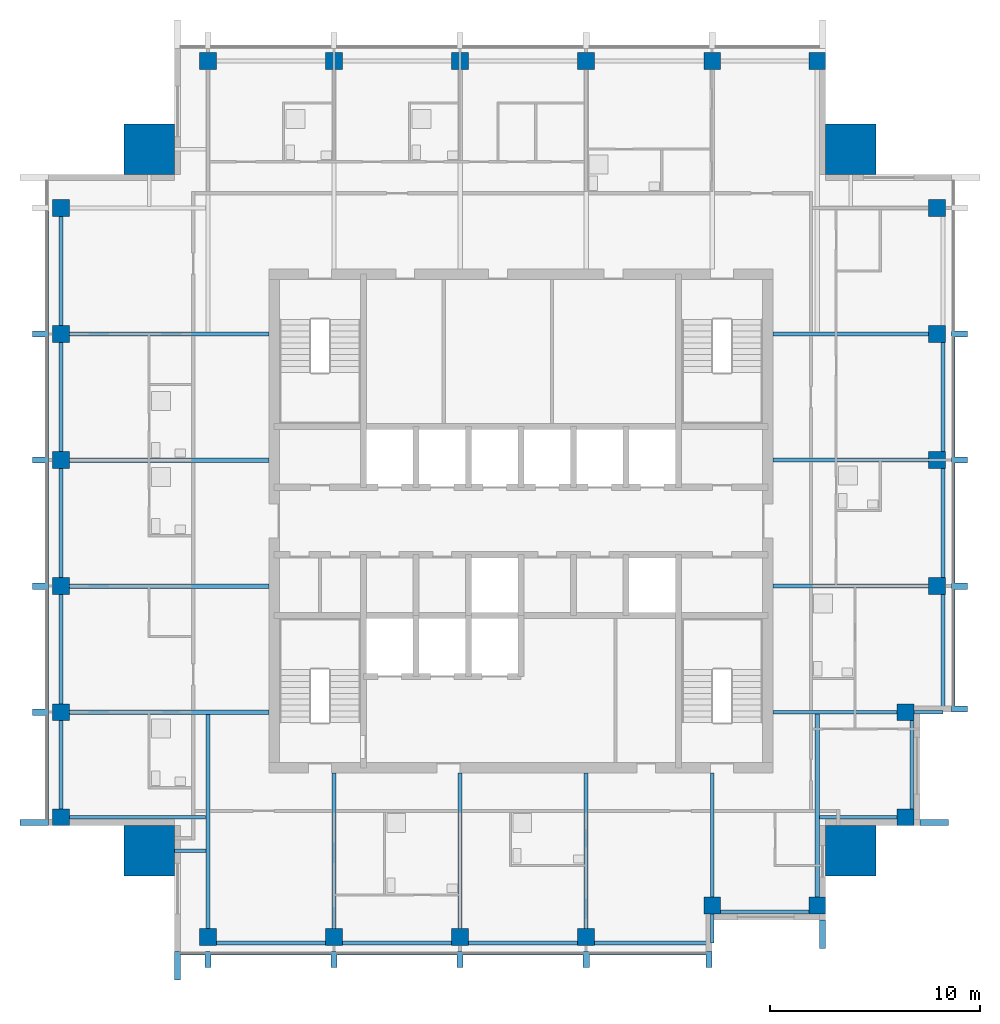
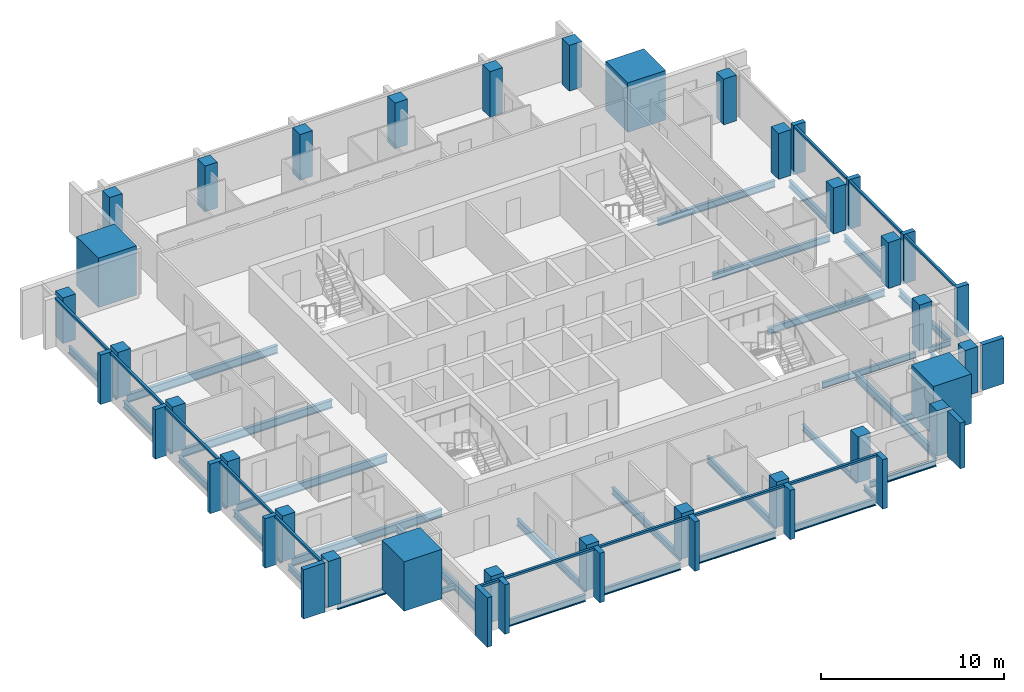
# One storey, part 1 of 9: 33 beams, 30 members, 28 columns, 3 elements without a shape of their own.
"""IFC4 building model written with IfcOpenShell, lengths in metres."""

from ifc_helpers import new_model, si_unit, direction, frame, origin, origin_2d, place, context, subcontext, project, spatial, rectangle, i_section, extrude, material, material_profile, profile_set, type_object, element, aggregate, save


model = new_model("IFC4")

# Units and contexts
model_context = context("Model", 3, precision=1e-05, world=origin(), true_north=direction((0.0, 1.0)))
body_context = subcontext(model_context, "Body", "Model", "MODEL_VIEW")
ifc_project = project(units=[si_unit("LENGTHUNIT", "METRE"), si_unit("AREAUNIT", "SQUARE_METRE"), si_unit("VOLUMEUNIT", "CUBIC_METRE"), si_unit("PLANEANGLEUNIT", "RADIAN"), si_unit("MASSUNIT", "GRAM", prefix="KILO")], contexts=[model_context])

# Site, building, storey
site_placement = place(None, origin())
site = spatial("IfcSite", under=ifc_project, at=site_placement, CompositionType="ELEMENT")
building_placement = place(site_placement, origin())
building = spatial("IfcBuilding", under=site, at=building_placement, Name="Amberfall Residences", CompositionType="ELEMENT")
storey_placement = place(building_placement, frame((0.0, 0.0, 252.10009765625)))
storey = spatial("IfcBuildingStorey", under=building, at=storey_placement, Name="L67", CompositionType="ELEMENT", Elevation=252.10009765625)

# Columns
ifc_material_1 = material(Name="Concrete C50", Category="concrete")
ifc_material_profile_1 = material_profile(ifc_material_1, rectangle(XDim=0.800048828125, YDim=0.800048828125, at=origin_2d()), Name="Column 800 x 800 C50")
ifc_profile_set_1 = profile_set([ifc_material_profile_1], Name="Concrete C50")
column_type_1 = type_object("IfcColumnType", Name="Column 800 x 800 C50", PredefinedType="COLUMN", material=ifc_profile_set_1)
for number, where, z_axis, x_axis, name in (
    (1, (59.60009765625, 25.699951171875, 0.0), (0.0, 0.0, 1.0), (1.0, 0.0, 0.0), "Column C5 L67 S1"),
    (2, (65.60009765625, 25.699951171875, 0.0), (0.0, 0.0, 1.0), (1.0, 0.0, 0.0), "Column C5 L67 S2"),
    (3, (71.60009765625, 25.699951171875, 0.0), (0.0, 0.0, 1.0), (1.0, 0.0, 0.0), "Column C5 L67 S3"),
    (4, (77.60009765625, 25.699951171875, 0.0), (0.0, 0.0, 1.0), (1.0, 0.0, 0.0), "Column C5 L67 S4"),
    (5, (83.60009765625, 27.199951171875, 0.0), (0.0, 0.0, 1.0), (1.0, 0.0, 0.0), "Column C5 L67 S5"),
    (6, (88.60009765625, 27.199951171875, 0.0), (0.0, 0.0, 1.0), (1.0, 0.0, 0.0), "Column C5 L67 S6"),
    (7, (92.800048828125, 31.39990234375, 0.0), (0.0, 0.0, 1.0), (1.0, 0.0, 0.0), "Column C5 L67 E1"),
    (8, (92.800048828125, 36.39990234375, 0.0), (0.0, 0.0, 1.0), (1.0, 0.0, 0.0), "Column C5 L67 E2"),
    (9, (94.300048828125, 42.39990234375, 0.0), (0.0, 0.0, 1.0), (1.0, 0.0, 0.0), "Column C5 L67 E3"),
    (10, (94.300048828125, 48.39990234375, 0.0), (0.0, 0.0, 1.0), (1.0, 0.0, 0.0), "Column C5 L67 E4"),
    (11, (94.300048828125, 54.39990234375, 0.0), (0.0, 0.0, 1.0), (1.0, 0.0, 0.0), "Column C5 L67 E5"),
    (12, (94.300048828125, 60.39990234375, 0.0), (0.0, 0.0, 1.0), (1.0, 0.0, 0.0), "Column C5 L67 E6"),
    (13, (59.60009765625, 67.39990234375, 0.0), (0.0, 0.0, 1.0), (1.0, 0.0, 0.0), "Column C5 L67 N1"),
    (14, (65.60009765625, 67.39990234375, 0.0), (0.0, 0.0, 1.0), (1.0, 0.0, 0.0), "Column C5 L67 N2"),
    (15, (71.60009765625, 67.39990234375, 0.0), (0.0, 0.0, 1.0), (1.0, 0.0, 0.0), "Column C5 L67 N3"),
    (16, (77.60009765625, 67.39990234375, 0.0), (0.0, 0.0, 1.0), (1.0, 0.0, 0.0), "Column C5 L67 N4"),
    (17, (83.60009765625, 67.39990234375, 0.0), (0.0, 0.0, 1.0), (1.0, 0.0, 0.0), "Column C5 L67 N5"),
    (18, (88.60009765625, 67.39990234375, 0.0), (0.0, 0.0, 1.0), (1.0, 0.0, 0.0), "Column C5 L67 N6"),
    (19, (52.60009765625, 31.39990234375, 0.0), (0.0, 0.0, 1.0), (1.0, 0.0, 0.0), "Column C5 L67 W1"),
    (20, (52.60009765625, 36.39990234375, 0.0), (0.0, 0.0, 1.0), (1.0, 0.0, 0.0), "Column C5 L67 W2"),
    (21, (52.60009765625, 42.39990234375, 0.0), (0.0, 0.0, 1.0), (1.0, 0.0, 0.0), "Column C5 L67 W3"),
    (22, (52.60009765625, 48.39990234375, 0.0), (0.0, 0.0, 1.0), (1.0, 0.0, 0.0), "Column C5 L67 W4"),
    (23, (52.60009765625, 54.39990234375, 0.0), (0.0, 0.0, 1.0), (1.0, 0.0, 0.0), "Column C5 L67 W5"),
    (24, (52.60009765625, 60.39990234375, 0.0), (0.0, 0.0, 1.0), (1.0, 0.0, 0.0), "Column C5 L67 W6"),
):
    element("IfcColumn", number, at=place(storey_placement, frame(where, z_axis=z_axis, x_axis=x_axis)), inside=storey, type_object=column_type_1, Name=name, PredefinedType="COLUMN", context=body_context, shape_type="SweptSolid", body=[
        extrude(rectangle(XDim=0.800048828125, YDim=0.800048828125, at=origin_2d()), origin(), (0.0, 0.0, 1.0), 3.0498046875),
    ])
ifc_material_profile_2 = material_profile(ifc_material_1, rectangle(XDim=2.39990234375, YDim=2.39990234375, at=origin_2d()), Name="Mega column 2400 x 2400 C50")
ifc_profile_set_2 = profile_set([ifc_material_profile_2], Name="Concrete C50")
column_type_2 = type_object("IfcColumnType", Name="Mega column 2400 x 2400 C50", PredefinedType="COLUMN", material=ifc_profile_set_2)
for number, where, z_axis, x_axis, name in (
    (25, (56.800048828125, 29.800048828125, 0.0), (0.0, 0.0, 1.0), (1.0, 0.0, 0.0), "Mega column MC11 L67 SW"),
    (26, (90.199951171875, 29.800048828125, 0.0), (0.0, 0.0, 1.0), (1.0, 0.0, 0.0), "Mega column MC11 L67 SE"),
    (27, (90.199951171875, 63.199951171875, 0.0), (0.0, 0.0, 1.0), (1.0, 0.0, 0.0), "Mega column MC11 L67 NE"),
    (28, (56.800048828125, 63.199951171875, 0.0), (0.0, 0.0, 1.0), (1.0, 0.0, 0.0), "Mega column MC11 L67 NW"),
):
    element("IfcColumn", number, at=place(storey_placement, frame(where, z_axis=z_axis, x_axis=x_axis)), inside=storey, type_object=column_type_2, Name=name, PredefinedType="COLUMN", context=body_context, shape_type="SweptSolid", body=[
        extrude(rectangle(XDim=2.39990234375, YDim=2.39990234375, at=origin_2d()), origin(), (0.0, 0.0, 1.0), 3.2998046875),
    ])

# Curtain wall, members
ifc_material_2 = material(Name="Bronze anodised aluminium and glass", Category="aluminium")
curtain_wall_type = type_object("IfcCurtainWallType", Name="Curtain wall CW1 tower unit", PredefinedType="USERDEFINED", material=ifc_material_2)
curtain_wall_1_placement = place(storey_placement, origin())
curtain_wall_1 = element("IfcCurtainWall", 29, at=curtain_wall_1_placement, inside=storey, type_object=curtain_wall_type, Name="Curtain wall L67 S S1", ObjectType="UNITISED CURTAIN WALL", PredefinedType="USERDEFINED")
ifc_material_3 = material(Name="Bronze anodised aluminium", Category="aluminium")
ifc_material_profile_3 = material_profile(ifc_material_3, rectangle(XDim=0.14990234375, YDim=0.14990234375, at=origin_2d()), Name="CW1 transom 150 x 150 bronze")
ifc_profile_set_3 = profile_set([ifc_material_profile_3], Name="Bronze anodised aluminium")
member_type_1 = type_object("IfcMemberType", Name="CW1 transom 150 x 150 bronze", PredefinedType="USERDEFINED", material=ifc_profile_set_3)
member_1_placement = place(storey_placement, frame((58.300048828125, 24.925048828125, 2.974853515625), z_axis=(1.0, 0.0, 0.0), x_axis=(0.0, 1.0, 0.0)))
member_1 = element("IfcMember", 30, at=member_1_placement, type_object=member_type_1, Name="CW1 transom 1.1", ObjectType="TRANSOM", PredefinedType="USERDEFINED", context=body_context, shape_type="SweptSolid", body=[
    extrude(rectangle(XDim=0.14990234375, YDim=0.14990234375, at=origin_2d()), origin(), (0.0, 0.0, 1.0), 1.14990234375),
])
member_2_placement = place(storey_placement, frame((59.75, 24.925048828125, 2.974853515625), z_axis=(1.0, 0.0, 0.0), x_axis=(0.0, 1.0, 0.0)))
member_2 = element("IfcMember", 31, at=member_2_placement, type_object=member_type_1, Name="CW1 transom 2.1", ObjectType="TRANSOM", PredefinedType="USERDEFINED", context=body_context, shape_type="SweptSolid", body=[
    extrude(rectangle(XDim=0.14990234375, YDim=0.14990234375, at=origin_2d()), origin(), (0.0, 0.0, 1.0), 5.699951171875),
])
member_3_placement = place(storey_placement, frame((65.75, 24.925048828125, 2.974853515625), z_axis=(1.0, 0.0, 0.0), x_axis=(0.0, 1.0, 0.0)))
member_3 = element("IfcMember", 32, at=member_3_placement, type_object=member_type_1, Name="CW1 transom 3.1", ObjectType="TRANSOM", PredefinedType="USERDEFINED", context=body_context, shape_type="SweptSolid", body=[
    extrude(rectangle(XDim=0.14990234375, YDim=0.14990234375, at=origin_2d()), origin(), (0.0, 0.0, 1.0), 5.699951171875),
])
member_4_placement = place(storey_placement, frame((71.75, 24.925048828125, 2.974853515625), z_axis=(1.0, 0.0, 0.0), x_axis=(0.0, 1.0, 0.0)))
member_4 = element("IfcMember", 33, at=member_4_placement, type_object=member_type_1, Name="CW1 transom 4.1", ObjectType="TRANSOM", PredefinedType="USERDEFINED", context=body_context, shape_type="SweptSolid", body=[
    extrude(rectangle(XDim=0.14990234375, YDim=0.14990234375, at=origin_2d()), origin(), (0.0, 0.0, 1.0), 5.699951171875),
])
member_5_placement = place(storey_placement, frame((77.75, 24.925048828125, 2.974853515625), z_axis=(1.0, 0.0, 0.0), x_axis=(0.0, 1.0, 0.0)))
member_5 = element("IfcMember", 34, at=member_5_placement, type_object=member_type_1, Name="CW1 transom 5.1", ObjectType="TRANSOM", PredefinedType="USERDEFINED", context=body_context, shape_type="SweptSolid", body=[
    extrude(rectangle(XDim=0.14990234375, YDim=0.14990234375, at=origin_2d()), origin(), (0.0, 0.0, 1.0), 5.550048828125),
])

curtain_wall_2_placement = place(storey_placement, origin())
curtain_wall_2 = element("IfcCurtainWall", 35, at=curtain_wall_2_placement, inside=storey, type_object=curtain_wall_type, Name="Curtain wall L67 E E3", ObjectType="UNITISED CURTAIN WALL", PredefinedType="USERDEFINED")
member_6_placement = place(storey_placement, frame((95.074951171875, 36.699951171875, 2.974853515625), z_axis=(0.0, 1.0, 0.0), x_axis=(-1.0, 0.0, 0.0)))
member_6 = element("IfcMember", 36, at=member_6_placement, type_object=member_type_1, Name="CW1 transom 1.1", ObjectType="TRANSOM", PredefinedType="USERDEFINED", context=body_context, shape_type="SweptSolid", body=[
    extrude(rectangle(XDim=0.14990234375, YDim=0.14990234375, at=origin_2d()), origin(), (0.0, 0.0, 1.0), 5.550048828125),
])
member_7_placement = place(storey_placement, frame((95.074951171875, 42.550048828125, 2.974853515625), z_axis=(0.0, 1.0, 0.0), x_axis=(-1.0, 0.0, 0.0)))
member_7 = element("IfcMember", 37, at=member_7_placement, type_object=member_type_1, Name="CW1 transom 2.1", ObjectType="TRANSOM", PredefinedType="USERDEFINED", context=body_context, shape_type="SweptSolid", body=[
    extrude(rectangle(XDim=0.14990234375, YDim=0.14990234375, at=origin_2d()), origin(), (0.0, 0.0, 1.0), 5.699951171875),
])
member_8_placement = place(storey_placement, frame((95.074951171875, 48.550048828125, 2.974853515625), z_axis=(0.0, 1.0, 0.0), x_axis=(-1.0, 0.0, 0.0)))
member_8 = element("IfcMember", 38, at=member_8_placement, type_object=member_type_1, Name="CW1 transom 3.1", ObjectType="TRANSOM", PredefinedType="USERDEFINED", context=body_context, shape_type="SweptSolid", body=[
    extrude(rectangle(XDim=0.14990234375, YDim=0.14990234375, at=origin_2d()), origin(), (0.0, 0.0, 1.0), 5.699951171875),
])

curtain_wall_3_placement = place(storey_placement, origin())
curtain_wall_3 = element("IfcCurtainWall", 39, at=curtain_wall_3_placement, inside=storey, type_object=curtain_wall_type, Name="Curtain wall L67 W W1", ObjectType="UNITISED CURTAIN WALL", PredefinedType="USERDEFINED")
member_9_placement = place(storey_placement, frame((51.925048828125, 60.25, 2.974853515625), z_axis=(0.0, -1.0, 0.0), x_axis=(1.0, 0.0, 0.0)))
member_9 = element("IfcMember", 40, at=member_9_placement, type_object=member_type_1, Name="CW1 transom 2.1", ObjectType="TRANSOM", PredefinedType="USERDEFINED", context=body_context, shape_type="SweptSolid", body=[
    extrude(rectangle(XDim=0.14990234375, YDim=0.14990234375, at=origin_2d()), origin(), (0.0, 0.0, 1.0), 5.699951171875),
])
member_10_placement = place(storey_placement, frame((51.925048828125, 54.25, 2.974853515625), z_axis=(0.0, -1.0, 0.0), x_axis=(1.0, 0.0, 0.0)))
member_10 = element("IfcMember", 41, at=member_10_placement, type_object=member_type_1, Name="CW1 transom 3.1", ObjectType="TRANSOM", PredefinedType="USERDEFINED", context=body_context, shape_type="SweptSolid", body=[
    extrude(rectangle(XDim=0.14990234375, YDim=0.14990234375, at=origin_2d()), origin(), (0.0, 0.0, 1.0), 5.699951171875),
])
member_11_placement = place(storey_placement, frame((51.925048828125, 48.25, 2.974853515625), z_axis=(0.0, -1.0, 0.0), x_axis=(1.0, 0.0, 0.0)))
member_11 = element("IfcMember", 42, at=member_11_placement, type_object=member_type_1, Name="CW1 transom 4.1", ObjectType="TRANSOM", PredefinedType="USERDEFINED", context=body_context, shape_type="SweptSolid", body=[
    extrude(rectangle(XDim=0.14990234375, YDim=0.14990234375, at=origin_2d()), origin(), (0.0, 0.0, 1.0), 5.699951171875),
])
member_12_placement = place(storey_placement, frame((51.925048828125, 42.25, 2.974853515625), z_axis=(0.0, -1.0, 0.0), x_axis=(1.0, 0.0, 0.0)))
member_12 = element("IfcMember", 43, at=member_12_placement, type_object=member_type_1, Name="CW1 transom 5.1", ObjectType="TRANSOM", PredefinedType="USERDEFINED", context=body_context, shape_type="SweptSolid", body=[
    extrude(rectangle(XDim=0.14990234375, YDim=0.14990234375, at=origin_2d()), origin(), (0.0, 0.0, 1.0), 5.699951171875),
])
member_13_placement = place(storey_placement, frame((51.925048828125, 36.25, 2.974853515625), z_axis=(0.0, -1.0, 0.0), x_axis=(1.0, 0.0, 0.0)))
member_13 = element("IfcMember", 44, at=member_13_placement, type_object=member_type_1, Name="CW1 transom 6.1", ObjectType="TRANSOM", PredefinedType="USERDEFINED", context=body_context, shape_type="SweptSolid", body=[
    extrude(rectangle(XDim=0.14990234375, YDim=0.14990234375, at=origin_2d()), origin(), (0.0, 0.0, 1.0), 4.949951171875),
])

# Beams
ifc_material_4 = material(Name="Steel S355", Category="steel")
ifc_material_profile_4 = material_profile(ifc_material_4, i_section(OverallWidth=0.171142578125, OverallDepth=0.351318359375, WebThickness=0.007080078125, FlangeThickness=0.009765625, FilletRadius=0.01025390625, at=origin_2d()), Name="UB 356x171x45")
ifc_profile_set_4 = profile_set([ifc_material_profile_4], Name="Steel S355")
beam_type_1 = type_object("IfcBeamType", Name="Cantilever girder UB 356x171x45", PredefinedType="BEAM", material=ifc_profile_set_4)
for number, where, z_axis, x_axis, name in (
    (45, (83.60009765625, 26.800048828125, -0.42578125), (0.0, -1.0, 0.0), (1.0, 0.0, 0.0), "Cantilever girder B8 L67 06"),
    (46, (93.199951171875, 36.39990234375, -0.42578125), (1.0, 0.0, 0.0), (0.0, 1.0, 0.0), "Cantilever girder B8 L67 18"),
):
    element("IfcBeam", number, at=place(storey_placement, frame(where, z_axis=z_axis, x_axis=x_axis)), inside=storey, type_object=beam_type_1, Name=name, PredefinedType="BEAM", context=body_context, shape_type="SweptSolid", body=[
        extrude(i_section(OverallWidth=0.171142578125, OverallDepth=0.351318359375, WebThickness=0.007080078125, FlangeThickness=0.009765625, FilletRadius=0.01025390625, at=origin_2d()), origin(), (0.0, 0.0, 1.0), 1.400146484375),
    ])

# Member
ifc_material_profile_5 = material_profile(ifc_material_3, rectangle(XDim=1.35009765625, YDim=0.300048828125, at=origin_2d()), Name="Corner fin 300 x 1350 bronze")
ifc_profile_set_5 = profile_set([ifc_material_profile_5], Name="Bronze anodised aluminium")
member_type_2 = type_object("IfcMemberType", Name="Corner fin 300 x 1350 bronze", PredefinedType="MULLION", material=ifc_profile_set_5)
member_14_placement = place(storey_placement, frame((58.14990234375, 24.324951171875, -0.25), z_axis=(0.0, 0.0, 1.0), x_axis=(0.0, 1.0, 0.0)))
member_14 = element("IfcMember", 47, at=member_14_placement, type_object=member_type_2, Name="CW FIN 1", PredefinedType="MULLION", context=body_context, shape_type="SweptSolid", body=[
    extrude(rectangle(XDim=1.35009765625, YDim=0.300048828125, at=origin_2d()), origin(), (0.0, 0.0, 1.0), 3.2998046875),
])

member_15_placement = place(storey_placement, frame((51.324951171875, 31.14990234375, -0.25), z_axis=(0.0, 0.0, 1.0), x_axis=(1.0, 0.0, 0.0)))
member_15 = element("IfcMember", 48, at=member_15_placement, type_object=member_type_2, Name="CW FIN 7", PredefinedType="MULLION", context=body_context, shape_type="SweptSolid", body=[
    extrude(rectangle(XDim=1.35009765625, YDim=0.300048828125, at=origin_2d()), origin(), (0.0, 0.0, 1.0), 3.2998046875),
])

# Beams
ifc_material_profile_6 = material_profile(ifc_material_4, i_section(OverallWidth=0.177734375, OverallDepth=0.402587890625, WebThickness=0.0078125, FlangeThickness=0.010986328125, FilletRadius=0.01025390625, at=origin_2d()), Name="UB 406x178x54")
ifc_profile_set_6 = profile_set([ifc_material_profile_6], Name="Steel S355")
beam_type_2 = type_object("IfcBeamType", Name="Edge beam UB 406x178x54", PredefinedType="SPANDREL", material=ifc_profile_set_6)
for number, where, z_axis, x_axis, name in (
    (49, (84.0, 26.89990234375, -0.451416015625), (1.0, 0.0, 0.0), (0.0, 1.0, 0.0), "Edge beam B14 L67 05"),
    (50, (93.10009765625, 31.800048828125, -0.451416015625), (0.0, 1.0, 0.0), (-1.0, 0.0, 0.0), "Edge beam B14 L67 13"),
    (51, (52.60009765625, 31.800048828125, -0.451416015625), (0.0, 1.0, 0.0), (-1.0, 0.0, 0.0), "Edge beam B14 L67 36"),
):
    element("IfcBeam", number, at=place(storey_placement, frame(where, z_axis=z_axis, x_axis=x_axis)), inside=storey, type_object=beam_type_2, Name=name, PredefinedType="SPANDREL", context=body_context, shape_type="SweptSolid", body=[
        extrude(i_section(OverallWidth=0.177734375, OverallDepth=0.402587890625, WebThickness=0.0078125, FlangeThickness=0.010986328125, FilletRadius=0.01025390625, at=origin_2d()), origin(), (0.0, 0.0, 1.0), 4.199951171875),
    ])
ifc_material_profile_7 = material_profile(ifc_material_4, i_section(OverallWidth=0.18994140625, OverallDepth=0.453369140625, WebThickness=0.008544921875, FlangeThickness=0.0126953125, FilletRadius=0.01025390625, at=origin_2d()), Name="UB 457x191x67")
ifc_profile_set_7 = profile_set([ifc_material_profile_7], Name="Steel S355")
beam_type_3 = type_object("IfcBeamType", Name="Edge beam UB 457x191x67", PredefinedType="SPANDREL", material=ifc_profile_set_7)
for number, where, z_axis, x_axis, name in (
    (52, (60.0, 25.39990234375, -0.476806640625), (1.0, 0.0, 0.0), (0.0, 1.0, 0.0), "Edge beam B1 L67 01"),
    (53, (66.0, 25.39990234375, -0.476806640625), (1.0, 0.0, 0.0), (0.0, 1.0, 0.0), "Edge beam B1 L67 02"),
    (54, (72.0, 25.39990234375, -0.476806640625), (1.0, 0.0, 0.0), (0.0, 1.0, 0.0), "Edge beam B1 L67 03"),
):
    element("IfcBeam", number, at=place(storey_placement, frame(where, z_axis=z_axis, x_axis=x_axis)), inside=storey, type_object=beam_type_3, Name=name, PredefinedType="SPANDREL", context=body_context, shape_type="SweptSolid", body=[
        extrude(i_section(OverallWidth=0.18994140625, OverallDepth=0.453369140625, WebThickness=0.008544921875, FlangeThickness=0.0126953125, FilletRadius=0.01025390625, at=origin_2d()), origin(), (0.0, 0.0, 1.0), 5.199951171875),
    ])
for number, where, z_axis, x_axis, name in (
    (55, (78.0, 25.39990234375, -0.476806640625), (1.0, 0.0, 0.0), (0.0, 1.0, 0.0), "Edge beam B1 L67 04"),
    (56, (94.60009765625, 36.47998046875, -0.476806640625), (0.0, 1.0, 0.0), (-1.0, 0.0, 0.0), "Edge beam B1 L67 14"),
):
    element("IfcBeam", number, at=place(storey_placement, frame(where, z_axis=z_axis, x_axis=x_axis)), inside=storey, type_object=beam_type_3, Name=name, PredefinedType="SPANDREL", context=body_context, shape_type="SweptSolid", body=[
        extrude(i_section(OverallWidth=0.18994140625, OverallDepth=0.453369140625, WebThickness=0.008544921875, FlangeThickness=0.0126953125, FilletRadius=0.01025390625, at=origin_2d()), origin(), (0.0, 0.0, 1.0), 5.52001953125),
    ])
for number, where, z_axis, x_axis, name in (
    (57, (94.60009765625, 42.800048828125, -0.476806640625), (0.0, 1.0, 0.0), (-1.0, 0.0, 0.0), "Edge beam B1 L67 15"),
    (58, (94.60009765625, 48.800048828125, -0.476806640625), (0.0, 1.0, 0.0), (-1.0, 0.0, 0.0), "Edge beam B1 L67 16"),
    (59, (52.60009765625, 36.800048828125, -0.476806640625), (0.0, 1.0, 0.0), (-1.0, 0.0, 0.0), "Edge beam B1 L67 37"),
    (60, (52.60009765625, 42.800048828125, -0.476806640625), (0.0, 1.0, 0.0), (-1.0, 0.0, 0.0), "Edge beam B1 L67 38"),
    (61, (52.60009765625, 48.800048828125, -0.476806640625), (0.0, 1.0, 0.0), (-1.0, 0.0, 0.0), "Edge beam B1 L67 39"),
    (62, (52.60009765625, 54.800048828125, -0.476806640625), (0.0, 1.0, 0.0), (-1.0, 0.0, 0.0), "Edge beam B1 L67 40"),
):
    element("IfcBeam", number, at=place(storey_placement, frame(where, z_axis=z_axis, x_axis=x_axis)), inside=storey, type_object=beam_type_3, Name=name, PredefinedType="SPANDREL", context=body_context, shape_type="SweptSolid", body=[
        extrude(i_section(OverallWidth=0.18994140625, OverallDepth=0.453369140625, WebThickness=0.008544921875, FlangeThickness=0.0126953125, FilletRadius=0.01025390625, at=origin_2d()), origin(), (0.0, 0.0, 1.0), 5.199951171875),
    ])

# Member
ifc_material_profile_8 = material_profile(ifc_material_3, rectangle(XDim=0.75, YDim=0.300048828125, at=origin_2d()), Name="Fin 300 x 750 bronze")
ifc_profile_set_8 = profile_set([ifc_material_profile_8], Name="Bronze anodised aluminium")
member_type_3 = type_object("IfcMemberType", Name="Fin 300 x 750 bronze", PredefinedType="MULLION", material=ifc_profile_set_8)
member_16_placement = place(storey_placement, frame((59.60009765625, 24.625, -0.25), z_axis=(0.0, 0.0, 1.0), x_axis=(0.0, 1.0, 0.0)))
member_16 = element("IfcMember", 63, at=member_16_placement, type_object=member_type_3, Name="CW FIN 2", PredefinedType="MULLION", context=body_context, shape_type="SweptSolid", body=[
    extrude(rectangle(XDim=0.75, YDim=0.300048828125, at=origin_2d()), origin(), (0.0, 0.0, 1.0), 3.2998046875),
])

member_17_placement = place(storey_placement, frame((65.60009765625, 24.625, -0.25), z_axis=(0.0, 0.0, 1.0), x_axis=(0.0, 1.0, 0.0)))
member_17 = element("IfcMember", 64, at=member_17_placement, type_object=member_type_3, Name="CW FIN 3", PredefinedType="MULLION", context=body_context, shape_type="SweptSolid", body=[
    extrude(rectangle(XDim=0.75, YDim=0.300048828125, at=origin_2d()), origin(), (0.0, 0.0, 1.0), 3.2998046875),
])

member_18_placement = place(storey_placement, frame((71.60009765625, 24.625, -0.25), z_axis=(0.0, 0.0, 1.0), x_axis=(0.0, 1.0, 0.0)))
member_18 = element("IfcMember", 65, at=member_18_placement, type_object=member_type_3, Name="CW FIN 4", PredefinedType="MULLION", context=body_context, shape_type="SweptSolid", body=[
    extrude(rectangle(XDim=0.75, YDim=0.300048828125, at=origin_2d()), origin(), (0.0, 0.0, 1.0), 3.2998046875),
])

member_19_placement = place(storey_placement, frame((77.60009765625, 24.625, -0.25), z_axis=(0.0, 0.0, 1.0), x_axis=(0.0, 1.0, 0.0)))
member_19 = element("IfcMember", 66, at=member_19_placement, type_object=member_type_3, Name="CW FIN 5", PredefinedType="MULLION", context=body_context, shape_type="SweptSolid", body=[
    extrude(rectangle(XDim=0.75, YDim=0.300048828125, at=origin_2d()), origin(), (0.0, 0.0, 1.0), 3.2998046875),
])

member_20_placement = place(storey_placement, frame((83.449951171875, 24.625, -0.25), z_axis=(0.0, 0.0, 1.0), x_axis=(0.0, 1.0, 0.0)))
member_20 = element("IfcMember", 67, at=member_20_placement, type_object=member_type_3, Name="CW FIN 6", PredefinedType="MULLION", context=body_context, shape_type="SweptSolid", body=[
    extrude(rectangle(XDim=0.75, YDim=0.300048828125, at=origin_2d()), origin(), (0.0, 0.0, 1.0), 3.2998046875),
])

aggregate(curtain_wall_1, [member_14, member_16, member_17, member_18, member_19, member_20, member_1, member_2, member_3, member_4, member_5])

member_21_placement = place(storey_placement, frame((95.375, 36.550048828125, -0.25), z_axis=(0.0, 0.0, 1.0), x_axis=(-1.0, 0.0, 0.0)))
member_21 = element("IfcMember", 68, at=member_21_placement, type_object=member_type_3, Name="CW FIN 1", PredefinedType="MULLION", context=body_context, shape_type="SweptSolid", body=[
    extrude(rectangle(XDim=0.75, YDim=0.300048828125, at=origin_2d()), origin(), (0.0, 0.0, 1.0), 3.2998046875),
])

member_22_placement = place(storey_placement, frame((95.375, 42.39990234375, -0.25), z_axis=(0.0, 0.0, 1.0), x_axis=(-1.0, 0.0, 0.0)))
member_22 = element("IfcMember", 69, at=member_22_placement, type_object=member_type_3, Name="CW FIN 2", PredefinedType="MULLION", context=body_context, shape_type="SweptSolid", body=[
    extrude(rectangle(XDim=0.75, YDim=0.300048828125, at=origin_2d()), origin(), (0.0, 0.0, 1.0), 3.2998046875),
])

member_23_placement = place(storey_placement, frame((95.375, 48.39990234375, -0.25), z_axis=(0.0, 0.0, 1.0), x_axis=(-1.0, 0.0, 0.0)))
member_23 = element("IfcMember", 70, at=member_23_placement, type_object=member_type_3, Name="CW FIN 3", PredefinedType="MULLION", context=body_context, shape_type="SweptSolid", body=[
    extrude(rectangle(XDim=0.75, YDim=0.300048828125, at=origin_2d()), origin(), (0.0, 0.0, 1.0), 3.2998046875),
])

member_24_placement = place(storey_placement, frame((95.375, 54.39990234375, -0.25), z_axis=(0.0, 0.0, 1.0), x_axis=(-1.0, 0.0, 0.0)))
member_24 = element("IfcMember", 71, at=member_24_placement, type_object=member_type_3, Name="CW FIN 4", PredefinedType="MULLION", context=body_context, shape_type="SweptSolid", body=[
    extrude(rectangle(XDim=0.75, YDim=0.300048828125, at=origin_2d()), origin(), (0.0, 0.0, 1.0), 3.2998046875),
])

aggregate(curtain_wall_2, [member_21, member_22, member_23, member_24, member_6, member_7, member_8])

member_25_placement = place(storey_placement, frame((51.625, 54.39990234375, -0.25), z_axis=(0.0, 0.0, 1.0), x_axis=(1.0, 0.0, 0.0)))
member_25 = element("IfcMember", 72, at=member_25_placement, type_object=member_type_3, Name="CW FIN 3", PredefinedType="MULLION", context=body_context, shape_type="SweptSolid", body=[
    extrude(rectangle(XDim=0.75, YDim=0.300048828125, at=origin_2d()), origin(), (0.0, 0.0, 1.0), 3.2998046875),
])

member_26_placement = place(storey_placement, frame((51.625, 48.39990234375, -0.25), z_axis=(0.0, 0.0, 1.0), x_axis=(1.0, 0.0, 0.0)))
member_26 = element("IfcMember", 73, at=member_26_placement, type_object=member_type_3, Name="CW FIN 4", PredefinedType="MULLION", context=body_context, shape_type="SweptSolid", body=[
    extrude(rectangle(XDim=0.75, YDim=0.300048828125, at=origin_2d()), origin(), (0.0, 0.0, 1.0), 3.2998046875),
])

member_27_placement = place(storey_placement, frame((51.625, 42.39990234375, -0.25), z_axis=(0.0, 0.0, 1.0), x_axis=(1.0, 0.0, 0.0)))
member_27 = element("IfcMember", 74, at=member_27_placement, type_object=member_type_3, Name="CW FIN 5", PredefinedType="MULLION", context=body_context, shape_type="SweptSolid", body=[
    extrude(rectangle(XDim=0.75, YDim=0.300048828125, at=origin_2d()), origin(), (0.0, 0.0, 1.0), 3.2998046875),
])

member_28_placement = place(storey_placement, frame((51.625, 36.39990234375, -0.25), z_axis=(0.0, 0.0, 1.0), x_axis=(1.0, 0.0, 0.0)))
member_28 = element("IfcMember", 75, at=member_28_placement, type_object=member_type_3, Name="CW FIN 6", PredefinedType="MULLION", context=body_context, shape_type="SweptSolid", body=[
    extrude(rectangle(XDim=0.75, YDim=0.300048828125, at=origin_2d()), origin(), (0.0, 0.0, 1.0), 3.2998046875),
])

aggregate(curtain_wall_3, [member_25, member_26, member_27, member_28, member_15, member_9, member_10, member_11, member_12, member_13])

# Beams
ifc_material_profile_9 = material_profile(ifc_material_4, i_section(OverallWidth=0.171142578125, OverallDepth=0.351318359375, WebThickness=0.007080078125, FlangeThickness=0.009765625, FilletRadius=0.01025390625, at=origin_2d()), Name="UB 356x171x45")
ifc_profile_set_9 = profile_set([ifc_material_profile_9], Name="Steel S355")
beam_type_4 = type_object("IfcBeamType", Name="Floor girder UB 356x171x45", PredefinedType="BEAM", material=ifc_profile_set_9)
beam_1_placement = place(storey_placement, frame((92.39990234375, 31.39990234375, -0.42578125), z_axis=(-1.0, 0.0, 0.0), x_axis=(0.0, -1.0, 0.0)))
element("IfcBeam", 76, at=beam_1_placement, inside=storey, type_object=beam_type_4, Name="Floor girder B11 L67 19", PredefinedType="BEAM", context=body_context, shape_type="SweptSolid", body=[
    extrude(i_section(OverallWidth=0.171142578125, OverallDepth=0.351318359375, WebThickness=0.007080078125, FlangeThickness=0.009765625, FilletRadius=0.01025390625, at=origin_2d()), origin(), (0.0, 0.0, 1.0), 3.679931640625),
])
ifc_material_profile_10 = material_profile(ifc_material_4, i_section(OverallWidth=0.177734375, OverallDepth=0.402587890625, WebThickness=0.0078125, FlangeThickness=0.010986328125, FilletRadius=0.01025390625, at=origin_2d()), Name="UB 406x178x54")
ifc_profile_set_10 = profile_set([ifc_material_profile_10], Name="Steel S355")
beam_type_5 = type_object("IfcBeamType", Name="Floor girder UB 406x178x54", PredefinedType="BEAM", material=ifc_profile_set_10)
for number, where, z_axis, x_axis, name in (
    (77, (83.60009765625, 27.60009765625, -0.451416015625), (0.0, 1.0, 0.0), (-1.0, 0.0, 0.0), "Floor girder B4 L67 11"),
    (78, (92.39990234375, 36.39990234375, -0.451416015625), (-1.0, 0.0, 0.0), (0.0, -1.0, 0.0), "Floor girder B4 L67 20"),
):
    element("IfcBeam", number, at=place(storey_placement, frame(where, z_axis=z_axis, x_axis=x_axis)), inside=storey, type_object=beam_type_5, Name=name, PredefinedType="BEAM", context=body_context, shape_type="SweptSolid", body=[
        extrude(i_section(OverallWidth=0.177734375, OverallDepth=0.402587890625, WebThickness=0.0078125, FlangeThickness=0.010986328125, FilletRadius=0.01025390625, at=origin_2d()), origin(), (0.0, 0.0, 1.0), 5.89990234375),
    ])
beam_2_placement = place(storey_placement, frame((53.0, 31.39990234375, -0.451416015625), z_axis=(1.0, 0.0, 0.0), x_axis=(0.0, 1.0, 0.0)))
element("IfcBeam", 79, at=beam_2_placement, inside=storey, type_object=beam_type_5, Name="Floor girder B4 L67 41", PredefinedType="BEAM", context=body_context, shape_type="SweptSolid", body=[
    extrude(i_section(OverallWidth=0.177734375, OverallDepth=0.402587890625, WebThickness=0.0078125, FlangeThickness=0.010986328125, FilletRadius=0.01025390625, at=origin_2d()), origin(), (0.0, 0.0, 1.0), 6.47998046875),
])
ifc_material_profile_11 = material_profile(ifc_material_4, i_section(OverallWidth=0.19140625, OverallDepth=0.4599609375, WebThickness=0.010009765625, FlangeThickness=0.01611328125, FilletRadius=0.01025390625, at=origin_2d()), Name="UB 457x191x82")
ifc_profile_set_11 = profile_set([ifc_material_profile_11], Name="Steel S355")
beam_type_6 = type_object("IfcBeamType", Name="Floor girder UB 457x191x82", PredefinedType="BEAM", material=ifc_profile_set_11)
for number, where, z_axis, x_axis, name in (
    (80, (65.60009765625, 26.10009765625, -0.47998046875), (0.0, 1.0, 0.0), (-1.0, 0.0, 0.0), "Floor girder B10 L67 08"),
    (81, (71.60009765625, 26.10009765625, -0.47998046875), (0.0, 1.0, 0.0), (-1.0, 0.0, 0.0), "Floor girder B10 L67 09"),
    (82, (77.60009765625, 26.10009765625, -0.47998046875), (0.0, 1.0, 0.0), (-1.0, 0.0, 0.0), "Floor girder B10 L67 10"),
    (83, (93.89990234375, 42.39990234375, -0.47998046875), (-1.0, 0.0, 0.0), (0.0, -1.0, 0.0), "Floor girder B10 L67 21"),
    (84, (93.89990234375, 48.39990234375, -0.47998046875), (-1.0, 0.0, 0.0), (0.0, -1.0, 0.0), "Floor girder B10 L67 22"),
    (85, (93.89990234375, 54.39990234375, -0.47998046875), (-1.0, 0.0, 0.0), (0.0, -1.0, 0.0), "Floor girder B10 L67 23"),
):
    element("IfcBeam", number, at=place(storey_placement, frame(where, z_axis=z_axis, x_axis=x_axis)), inside=storey, type_object=beam_type_6, Name=name, PredefinedType="BEAM", context=body_context, shape_type="SweptSolid", body=[
        extrude(i_section(OverallWidth=0.19140625, OverallDepth=0.4599609375, WebThickness=0.010009765625, FlangeThickness=0.01611328125, FilletRadius=0.01025390625, at=origin_2d()), origin(), (0.0, 0.0, 1.0), 7.39990234375),
    ])
ifc_material_profile_12 = material_profile(ifc_material_4, i_section(OverallWidth=0.209228515625, OverallDepth=0.533203125, WebThickness=0.010009765625, FlangeThickness=0.015625, FilletRadius=0.0126953125, at=origin_2d()), Name="UB 533x210x92")
ifc_profile_set_12 = profile_set([ifc_material_profile_12], Name="Steel S355")
beam_type_7 = type_object("IfcBeamType", Name="Floor girder UB 533x210x92", PredefinedType="BEAM", material=ifc_profile_set_12)
beam_3_placement = place(storey_placement, frame((59.60009765625, 26.10009765625, -0.5166015625), z_axis=(0.0, 1.0, 0.0), x_axis=(-1.0, 0.0, 0.0)))
element("IfcBeam", 86, at=beam_3_placement, inside=storey, type_object=beam_type_7, Name="Floor girder B3 L67 07", PredefinedType="BEAM", context=body_context, shape_type="SweptSolid", body=[
    extrude(i_section(OverallWidth=0.209228515625, OverallDepth=0.533203125, WebThickness=0.010009765625, FlangeThickness=0.015625, FilletRadius=0.0126953125, at=origin_2d()), origin(), (0.0, 0.0, 1.0), 10.2001953125),
])
beam_4_placement = place(storey_placement, frame((88.60009765625, 27.60009765625, -0.5166015625), z_axis=(0.0, 1.0, 0.0), x_axis=(-1.0, 0.0, 0.0)))
element("IfcBeam", 87, at=beam_4_placement, inside=storey, type_object=beam_type_7, Name="Floor girder B3 L67 12", PredefinedType="BEAM", context=body_context, shape_type="SweptSolid", body=[
    extrude(i_section(OverallWidth=0.209228515625, OverallDepth=0.533203125, WebThickness=0.010009765625, FlangeThickness=0.015625, FilletRadius=0.0126953125, at=origin_2d()), origin(), (0.0, 0.0, 1.0), 8.716064453125),
])
for number, where, z_axis, x_axis, name in (
    (88, (53.0, 36.39990234375, -0.5166015625), (1.0, 0.0, 0.0), (0.0, 1.0, 0.0), "Floor girder B3 L67 42"),
    (89, (53.0, 42.39990234375, -0.5166015625), (1.0, 0.0, 0.0), (0.0, 1.0, 0.0), "Floor girder B3 L67 43"),
    (90, (53.0, 48.39990234375, -0.5166015625), (1.0, 0.0, 0.0), (0.0, 1.0, 0.0), "Floor girder B3 L67 44"),
    (91, (53.0, 54.39990234375, -0.5166015625), (1.0, 0.0, 0.0), (0.0, 1.0, 0.0), "Floor girder B3 L67 45"),
):
    element("IfcBeam", number, at=place(storey_placement, frame(where, z_axis=z_axis, x_axis=x_axis)), inside=storey, type_object=beam_type_7, Name=name, PredefinedType="BEAM", context=body_context, shape_type="SweptSolid", body=[
        extrude(i_section(OverallWidth=0.209228515625, OverallDepth=0.533203125, WebThickness=0.010009765625, FlangeThickness=0.015625, FilletRadius=0.0126953125, at=origin_2d()), origin(), (0.0, 0.0, 1.0), 9.5),
    ])
ifc_material_profile_13 = material_profile(ifc_material_4, i_section(OverallWidth=0.171142578125, OverallDepth=0.351318359375, WebThickness=0.007080078125, FlangeThickness=0.009765625, FilletRadius=0.01025390625, at=origin_2d()), Name="UB 356x171x45")
ifc_profile_set_13 = profile_set([ifc_material_profile_13], Name="Steel S355")
beam_type_8 = type_object("IfcBeamType", Name="Link beam UB 356x171x45", PredefinedType="BEAM", material=ifc_profile_set_13)
beam_5_placement = place(storey_placement, frame((58.0, 29.800048828125, -0.42578125), z_axis=(1.0, 0.0, 0.0), x_axis=(0.0, 1.0, 0.0)))
element("IfcBeam", 92, at=beam_5_placement, inside=storey, type_object=beam_type_8, Name="Link beam B7 L67 47", PredefinedType="BEAM", context=body_context, shape_type="SweptSolid", body=[
    extrude(i_section(OverallWidth=0.171142578125, OverallDepth=0.351318359375, WebThickness=0.007080078125, FlangeThickness=0.009765625, FilletRadius=0.01025390625, at=origin_2d()), origin(), (0.0, 0.0, 1.0), 1.50537109375),
])

# Members
ifc_material_profile_14 = material_profile(ifc_material_3, rectangle(XDim=1.35009765625, YDim=0.300048828125, at=origin_2d()), Name="Stone corner fin 300 x 1350 bronze")
ifc_profile_set_14 = profile_set([ifc_material_profile_14], Name="Bronze anodised aluminium")
member_type_4 = type_object("IfcMemberType", Name="Stone corner fin 300 x 1350 bronze", PredefinedType="MEMBER", material=ifc_profile_set_14)
for number, where, z_axis, x_axis, name in (
    (93, (88.85009765625, 25.824951171875, 0.0), (0.0, 0.0, 1.0), (0.0, 1.0, 0.0), "Corner fin S"),
    (94, (94.175048828125, 31.14990234375, 0.0), (0.0, 0.0, 1.0), (-1.0, 0.0, 0.0), "Corner fin E"),
):
    element("IfcMember", number, at=place(storey_placement, frame(where, z_axis=z_axis, x_axis=x_axis)), inside=storey, type_object=member_type_4, Name=name, PredefinedType="MEMBER", context=body_context, shape_type="SweptSolid", body=[
        extrude(rectangle(XDim=1.35009765625, YDim=0.300048828125, at=origin_2d()), origin(), (0.0, 0.0, 1.0), 3.0498046875),
    ])

save(model, "model.ifc")
